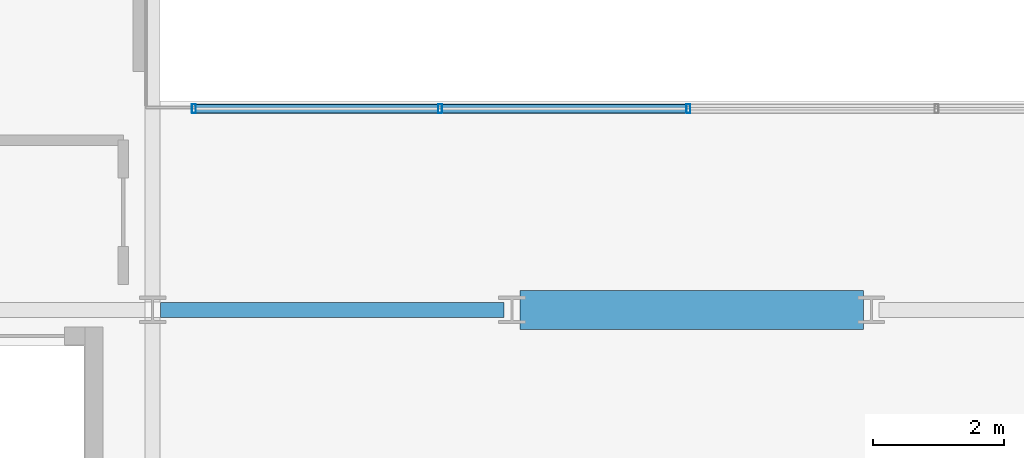
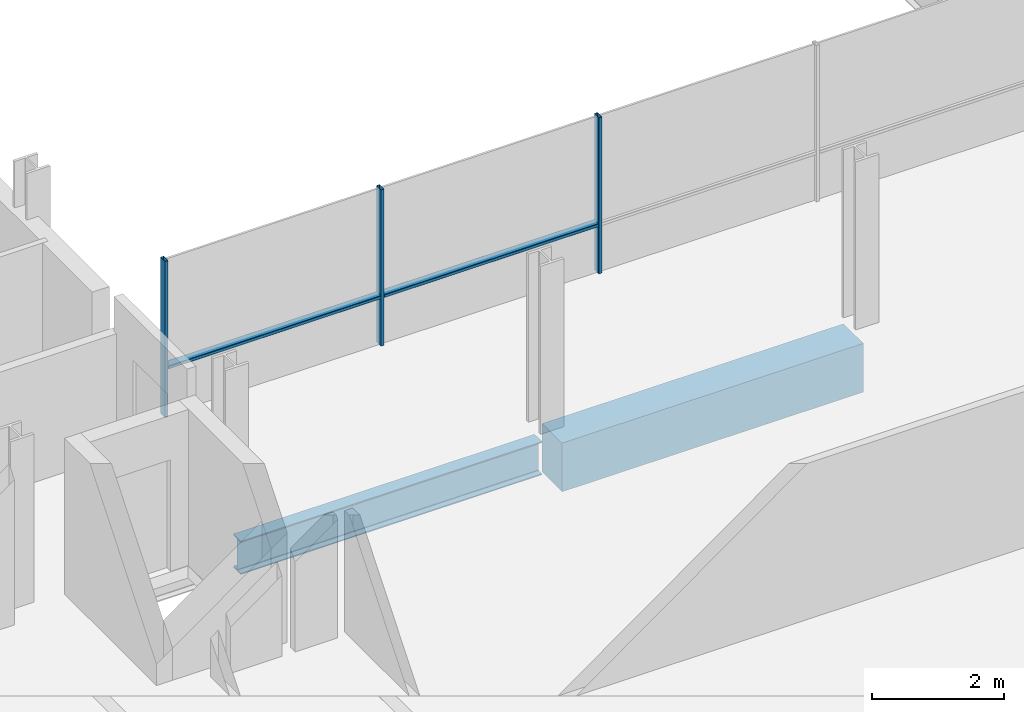
# One storey, part 4 of 39: 5 members, 2 beams, 1 element without a shape of its own.
"""IFC4 building model written with IfcOpenShell, lengths in metres."""

from ifc_helpers import new_model, si_unit, direction, frame, origin, origin_2d, place, context, subcontext, project, spatial, rectangle, hollow_rectangle, i_section, extrude, material, layer, layer_set, material_profile, profile_set, type_object, element, aggregate, save


model = new_model("IFC4")

# Units and contexts
model_context = context("Model", 3, precision=1e-05, world=origin(), true_north=direction((0.0, 1.0)))
body_context = subcontext(model_context, "Body", "Model", "MODEL_VIEW")
ifc_project = project(units=[si_unit("LENGTHUNIT", "METRE"), si_unit("AREAUNIT", "SQUARE_METRE"), si_unit("VOLUMEUNIT", "CUBIC_METRE"), si_unit("PLANEANGLEUNIT", "RADIAN"), si_unit("MASSUNIT", "GRAM", prefix="KILO")], contexts=[model_context])

# Site, building, storey
site_placement = place(None, origin())
site = spatial("IfcSite", under=ifc_project, at=site_placement, CompositionType="ELEMENT")
building_placement = place(site_placement, origin())
building = spatial("IfcBuilding", under=site, at=building_placement, Name="Brevholm Reach", CompositionType="ELEMENT")
storey_placement = place(building_placement, frame((0.0, 0.0, 103.5)))
storey = spatial("IfcBuildingStorey", under=building, at=storey_placement, Name="L30", CompositionType="ELEMENT", Elevation=103.5)

# Beams
ifc_material_1 = material(Name="Concrete C50/60", Category="concrete")
ifc_material_profile_1 = material_profile(ifc_material_1, rectangle(XDim=0.60009765625, YDim=0.89990234375, at=origin_2d()), Name="RC 600x900")
ifc_profile_set_1 = profile_set([ifc_material_profile_1], Name="Concrete C50/60")
beam_type_1 = type_object("IfcBeamType", Name="BM-CB600", PredefinedType="LINTEL", material=ifc_profile_set_1)
beam_1_placement = place(storey_placement, frame((27.3701171875, 10.0, -0.669921875), z_axis=(1.0, 0.0, 0.0), x_axis=(0.0, 1.0, 0.0)))
element("IfcBeam", 1, at=beam_1_placement, inside=storey, type_object=beam_type_1, Name="L30 CB-02 Framing Beam", PredefinedType="LINTEL", context=body_context, shape_type="SweptSolid", body=[
    extrude(rectangle(XDim=0.60009765625, YDim=0.89990234375, at=origin_2d()), origin(), (0.0, 0.0, 1.0), 5.259765625),
])
ifc_material_2 = material(Name="Structural Steel S355J2", Category="steel")
ifc_material_profile_2 = material_profile(ifc_material_2, i_section(OverallWidth=0.22900390625, OverallDepth=0.6123046875, WebThickness=0.011962890625, FlangeThickness=0.01953125, FilletRadius=0.0126953125, at=origin_2d()), Name="UKB 610x229x125")
ifc_profile_set_2 = profile_set([ifc_material_profile_2], Name="Structural Steel S355J2")
beam_type_2 = type_object("IfcBeamType", Name="BM-SP610", PredefinedType="SPANDREL", material=ifc_profile_set_2)
beam_2_placement = place(storey_placement, frame((21.8701171875, 10.0, -0.526123046875), z_axis=(1.0, 0.0, 0.0), x_axis=(0.0, 1.0, 0.0)))
element("IfcBeam", 2, at=beam_2_placement, inside=storey, type_object=beam_type_2, Name="L30 SP-01 Framing Beam", PredefinedType="SPANDREL", context=body_context, shape_type="SweptSolid", body=[
    extrude(i_section(OverallWidth=0.22900390625, OverallDepth=0.6123046875, WebThickness=0.011962890625, FlangeThickness=0.01953125, FilletRadius=0.0126953125, at=origin_2d()), origin(), (0.0, 0.0, 1.0), 5.259765625),
])

# Curtain wall, members
ifc_material_3 = material(Name="Dark Anodised Aluminium 6063-T6 and Solar-Control Glass", Category="aluminium")
ifc_layer = layer(ifc_material_3, 0.139892578125)
ifc_layer_set = layer_set([ifc_layer], Name="Dark Anodised Aluminium 6063-T6 and Solar-Control Glass")
curtain_wall_type = type_object("IfcCurtainWallType", Name="CW-02", PredefinedType="NOTDEFINED", material=ifc_layer_set)
curtain_wall_placement = place(storey_placement, origin())
curtain_wall = element("IfcCurtainWall", 3, at=curtain_wall_placement, inside=storey, type_object=curtain_wall_type, Name="L30 Curtain Wall CW-02", PredefinedType="NOTDEFINED")
ifc_material_4 = material(Name="Dark Anodised Aluminium 6063-T6", Category="aluminium")
ifc_material_profile_3 = material_profile(ifc_material_4, hollow_rectangle(XDim=0.06005859375, YDim=0.139892578125, WallThickness=0.0048828125, InnerFilletRadius=0.0048828125, OuterFilletRadius=0.010009765625, at=origin_2d()), Name="RHS 140x60x5")
ifc_profile_set_3 = profile_set([ifc_material_profile_3], Name="Dark Anodised Aluminium 6063-T6")
member_type_1 = type_object("IfcMemberType", Name="CWM-140", PredefinedType="MULLION", material=ifc_profile_set_3)
member_1_placement = place(storey_placement, frame((22.3798828125, 13.080078125, 0.0), z_axis=(0.0, 0.0, 1.0), x_axis=(1.0, 0.0, 0.0)))
member_1 = element("IfcMember", 4, at=member_1_placement, type_object=member_type_1, Name="CM-140 Mullion 1", PredefinedType="MULLION", context=body_context, shape_type="SweptSolid", body=[
    extrude(hollow_rectangle(XDim=0.06005859375, YDim=0.139892578125, WallThickness=0.0048828125, InnerFilletRadius=0.0048828125, OuterFilletRadius=0.010009765625, at=origin_2d()), origin(), (0.0, 0.0, 1.0), 2.8798828125),
])
member_2_placement = place(storey_placement, frame((26.14990234375, 13.080078125, 0.0), z_axis=(0.0, 0.0, 1.0), x_axis=(1.0, 0.0, 0.0)))
member_2 = element("IfcMember", 5, at=member_2_placement, type_object=member_type_1, Name="CM-140 Mullion 2", PredefinedType="MULLION", context=body_context, shape_type="SweptSolid", body=[
    extrude(hollow_rectangle(XDim=0.06005859375, YDim=0.139892578125, WallThickness=0.0048828125, InnerFilletRadius=0.0048828125, OuterFilletRadius=0.010009765625, at=origin_2d()), origin(), (0.0, 0.0, 1.0), 2.8798828125),
])
member_3_placement = place(storey_placement, frame((29.949951171875, 13.080078125, 0.0), z_axis=(0.0, 0.0, 1.0), x_axis=(1.0, 0.0, 0.0)))
member_3 = element("IfcMember", 6, at=member_3_placement, type_object=member_type_1, Name="CM-140 Mullion 3", PredefinedType="MULLION", context=body_context, shape_type="SweptSolid", body=[
    extrude(hollow_rectangle(XDim=0.06005859375, YDim=0.139892578125, WallThickness=0.0048828125, InnerFilletRadius=0.0048828125, OuterFilletRadius=0.010009765625, at=origin_2d()), origin(), (0.0, 0.0, 1.0), 2.8798828125),
])
ifc_material_5 = material(Name="Dark Anodised Aluminium 6063-T6", Category="aluminium")
ifc_material_profile_4 = material_profile(ifc_material_5, hollow_rectangle(XDim=0.06005859375, YDim=0.139892578125, WallThickness=0.0048828125, InnerFilletRadius=0.0048828125, OuterFilletRadius=0.010009765625, at=origin_2d()), Name="RHS 140x60x5")
ifc_profile_set_4 = profile_set([ifc_material_profile_4], Name="Dark Anodised Aluminium 6063-T6")
member_type_2 = type_object("IfcMemberType", Name="CWT-140", PredefinedType="NOTDEFINED", material=ifc_profile_set_4)
member_4_placement = place(storey_placement, frame((22.409912109375, 13.080078125, 0.89990234375), z_axis=(1.0, 0.0, 0.0), x_axis=(0.0, 0.0, 1.0)))
member_4 = element("IfcMember", 7, at=member_4_placement, type_object=member_type_2, Name="CT-140 Transom 1.1", ObjectType="TRANSOM", PredefinedType="USERDEFINED", context=body_context, shape_type="SweptSolid", body=[
    extrude(hollow_rectangle(XDim=0.06005859375, YDim=0.139892578125, WallThickness=0.0048828125, InnerFilletRadius=0.0048828125, OuterFilletRadius=0.010009765625, at=origin_2d()), origin(), (0.0, 0.0, 1.0), 3.710205078125),
])
member_5_placement = place(storey_placement, frame((26.179931640625, 13.080078125, 0.89990234375), z_axis=(1.0, 0.0, 0.0), x_axis=(0.0, 0.0, 1.0)))
member_5 = element("IfcMember", 8, at=member_5_placement, type_object=member_type_2, Name="CT-140 Transom 2.1", ObjectType="TRANSOM", PredefinedType="USERDEFINED", context=body_context, shape_type="SweptSolid", body=[
    extrude(hollow_rectangle(XDim=0.06005859375, YDim=0.139892578125, WallThickness=0.0048828125, InnerFilletRadius=0.0048828125, OuterFilletRadius=0.010009765625, at=origin_2d()), origin(), (0.0, 0.0, 1.0), 3.739990234375),
])
aggregate(curtain_wall, [member_1, member_2, member_3, member_4, member_5])

save(model, "model.ifc")
